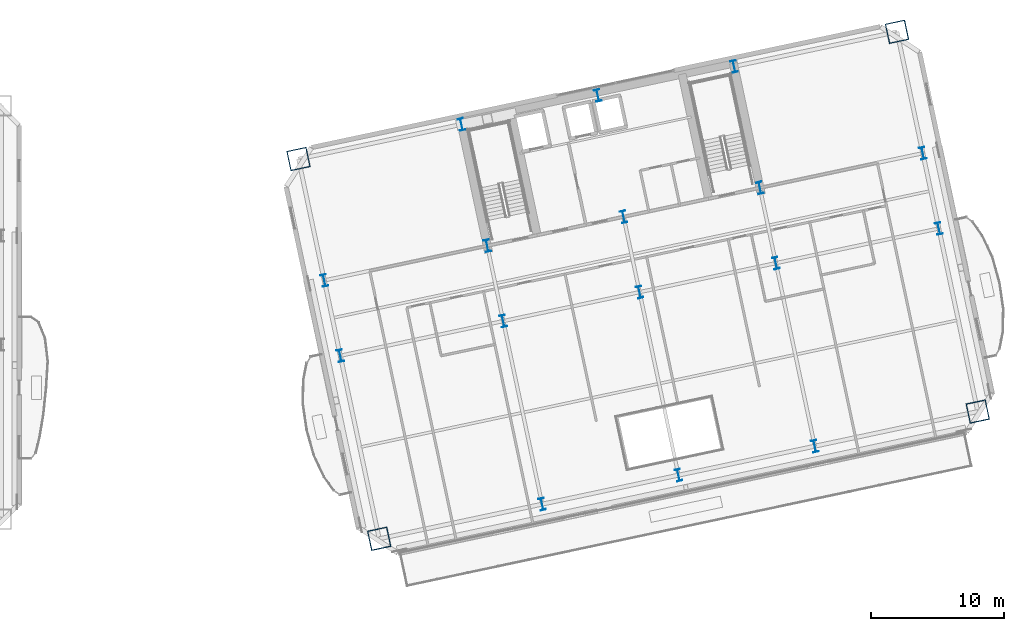
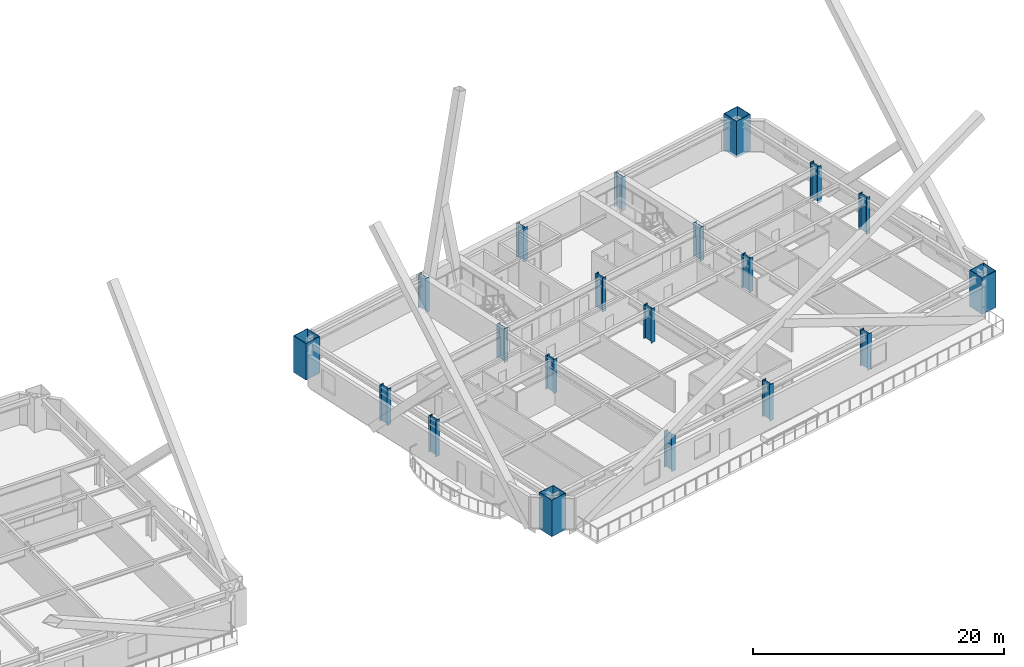
# One storey, part 2 of 25: 20 columns.
"""IFC4 building model written with IfcOpenShell, lengths in metres."""

from ifc_helpers import new_model, si_unit, direction, frame, origin, origin_2d, place, context, subcontext, project, spatial, hollow_rectangle, i_section, extrude, material, material_profile, profile_set, type_object, element, save


model = new_model("IFC4")

# Units and contexts
model_context = context("Model", 3, precision=1e-05, world=origin(), true_north=direction((0.0, 1.0)))
body_context = subcontext(model_context, "Body", "Model", "MODEL_VIEW")
ifc_project = project(units=[si_unit("LENGTHUNIT", "METRE"), si_unit("AREAUNIT", "SQUARE_METRE"), si_unit("VOLUMEUNIT", "CUBIC_METRE"), si_unit("PLANEANGLEUNIT", "RADIAN"), si_unit("MASSUNIT", "GRAM", prefix="KILO")], contexts=[model_context])

# Site, building, storey
site_placement = place(None, origin())
site = spatial("IfcSite", under=ifc_project, at=site_placement, CompositionType="ELEMENT")
building_placement = place(site_placement, origin())
building = spatial("IfcBuilding", under=site, at=building_placement, Name="Haevon Station Towers", CompositionType="ELEMENT")
storey_placement = place(building_placement, frame((0.0, 0.0, 50.39990234375)))
storey = spatial("IfcBuildingStorey", under=building, at=storey_placement, Name="L12", CompositionType="ELEMENT", Elevation=50.39990234375)

# Columns
ifc_material = material(Name="Steel S460", Category="steel")
ifc_material_profile_1 = material_profile(ifc_material, hollow_rectangle(XDim=1.5, YDim=1.5, WallThickness=0.0400390625, at=origin_2d()), Name="BOX-1500x1500x40")
ifc_profile_set_1 = profile_set([ifc_material_profile_1], Name="Steel S460")
column_type_1 = type_object("IfcColumnType", Name="COL-MC2", PredefinedType="COLUMN", material=ifc_profile_set_1)
for number, where, z_axis, x_axis, name in (
    (1, (90.614013671875, 15.367919921875, -0.25), (0.0, 0.0, 1.0), (0.978147600734, 0.207911690818, 0.0), "COL-T2-L12-01-01"),
    (2, (84.53271484375, 43.978759765625, -0.25), (0.0, 0.0, 1.0), (0.978147600734, 0.207911690818, 0.0), "COL-T2-L12-01-04"),
    (3, (135.70654296875, 24.95263671875, -0.25), (0.0, 0.0, 1.0), (0.978147600734, 0.207911690818, 0.0), "COL-T2-L12-05-01"),
    (4, (129.625244140625, 53.5634765625, -0.25), (0.0, 0.0, 1.0), (0.978147600734, 0.207911690818, 0.0), "COL-T2-L12-05-04"),
):
    element("IfcColumn", number, at=place(storey_placement, frame(where, z_axis=z_axis, x_axis=x_axis)), inside=storey, type_object=column_type_1, Name=name, PredefinedType="COLUMN", context=body_context, shape_type="SweptSolid", body=[
        extrude(hollow_rectangle(XDim=1.5, YDim=1.5, WallThickness=0.0400390625, at=origin_2d()), origin(), (0.0, 0.0, 1.0), 3.550048828125),
    ])
ifc_material_profile_2 = material_profile(ifc_material, i_section(OverallWidth=0.39990234375, OverallDepth=0.89990234375, WebThickness=0.02001953125, FlangeThickness=0.035888671875, at=origin_2d()), Name="H-900x400x20x36")
ifc_profile_set_2 = profile_set([ifc_material_profile_2], Name="Steel S460")
column_type_2 = type_object("IfcColumnType", Name="COL-TW1", PredefinedType="COLUMN", material=ifc_profile_set_2)
for number, where, z_axis, x_axis, name in (
    (5, (87.682373046875, 29.159912109375, -0.25), (0.0, 0.0, 1.0), (0.978147600734, 0.207911690818, 0.0), "COL-T2-L12-01-02"),
    (6, (86.4765625, 34.8330078125, -0.25), (0.0, 0.0, 1.0), (0.978147600734, 0.207911690818, 0.0), "COL-T2-L12-01-03"),
    (7, (102.889892578125, 17.977294921875, -0.25), (0.0, 0.0, 1.0), (0.978147600734, 0.207911690818, 0.0), "COL-T2-L12-02-01"),
):
    element("IfcColumn", number, at=place(storey_placement, frame(where, z_axis=z_axis, x_axis=x_axis)), inside=storey, type_object=column_type_2, Name=name, PredefinedType="COLUMN", context=body_context, shape_type="SweptSolid", body=[
        extrude(i_section(OverallWidth=0.39990234375, OverallDepth=0.89990234375, WebThickness=0.02001953125, FlangeThickness=0.035888671875, at=origin_2d()), origin(), (0.0, 0.0, 1.0), 3.550048828125),
    ])
for number, where, z_axis, x_axis, name in (
    (8, (99.958251953125, 31.76904296875, 0.0), (0.0, 0.0, 1.0), (0.978147600734, 0.207911690818, 0.0), "COL-T2-L12-02-02"),
    (9, (98.75244140625, 37.4423828125, 0.0), (0.0, 0.0, 1.0), (0.978147600734, 0.207911690818, 0.0), "COL-T2-L12-02-03"),
    (10, (96.808349609375, 46.588134765625, 0.0), (0.0, 0.0, 1.0), (0.978147600734, 0.207911690818, 0.0), "COL-T2-L12-02-04"),
):
    element("IfcColumn", number, at=place(storey_placement, frame(where, z_axis=z_axis, x_axis=x_axis)), inside=storey, type_object=column_type_2, Name=name, PredefinedType="COLUMN", context=body_context, shape_type="SweptSolid", body=[
        extrude(i_section(OverallWidth=0.39990234375, OverallDepth=0.89990234375, WebThickness=0.02001953125, FlangeThickness=0.035888671875, at=origin_2d()), origin(), (0.0, 0.0, 1.0), 3.300048828125),
    ])
column_1_placement = place(storey_placement, frame((113.160400390625, 20.160400390625, -0.25), z_axis=(0.0, 0.0, 1.0), x_axis=(0.978147600734, 0.207911690818, 0.0)))
element("IfcColumn", 11, at=column_1_placement, inside=storey, type_object=column_type_2, Name="COL-T2-L12-03-01", PredefinedType="COLUMN", context=body_context, shape_type="SweptSolid", body=[
    extrude(i_section(OverallWidth=0.39990234375, OverallDepth=0.89990234375, WebThickness=0.02001953125, FlangeThickness=0.035888671875, at=origin_2d()), origin(), (0.0, 0.0, 1.0), 3.550048828125),
])
for number, where, z_axis, x_axis, name in (
    (12, (110.228759765625, 33.9521484375, 0.0), (0.0, 0.0, 1.0), (0.978147600734, 0.207911690818, 0.0), "COL-T2-L12-03-02"),
    (13, (109.02294921875, 39.62548828125, 0.0), (0.0, 0.0, 1.0), (0.978147600734, 0.207911690818, 0.0), "COL-T2-L12-03-03"),
    (14, (107.078857421875, 48.771240234375, 0.0), (0.0, 0.0, 1.0), (0.978147600734, 0.207911690818, 0.0), "COL-T2-L12-03-04"),
):
    element("IfcColumn", number, at=place(storey_placement, frame(where, z_axis=z_axis, x_axis=x_axis)), inside=storey, type_object=column_type_2, Name=name, PredefinedType="COLUMN", context=body_context, shape_type="SweptSolid", body=[
        extrude(i_section(OverallWidth=0.39990234375, OverallDepth=0.89990234375, WebThickness=0.02001953125, FlangeThickness=0.035888671875, at=origin_2d()), origin(), (0.0, 0.0, 1.0), 3.300048828125),
    ])
column_2_placement = place(storey_placement, frame((123.430908203125, 22.343505859375, -0.25), z_axis=(0.0, 0.0, 1.0), x_axis=(0.978147600734, 0.207911690818, 0.0)))
element("IfcColumn", 15, at=column_2_placement, inside=storey, type_object=column_type_2, Name="COL-T2-L12-04-01", PredefinedType="COLUMN", context=body_context, shape_type="SweptSolid", body=[
    extrude(i_section(OverallWidth=0.39990234375, OverallDepth=0.89990234375, WebThickness=0.02001953125, FlangeThickness=0.035888671875, at=origin_2d()), origin(), (0.0, 0.0, 1.0), 3.550048828125),
])
for number, where, z_axis, x_axis, name in (
    (16, (120.499267578125, 36.13525390625, 0.0), (0.0, 0.0, 1.0), (0.978147600734, 0.207911690818, 0.0), "COL-T2-L12-04-02"),
    (17, (119.29345703125, 41.80859375, 0.0), (0.0, 0.0, 1.0), (0.978147600734, 0.207911690818, 0.0), "COL-T2-L12-04-03"),
    (18, (117.349365234375, 50.954345703125, 0.0), (0.0, 0.0, 1.0), (0.978147600734, 0.207911690818, 0.0), "COL-T2-L12-04-04"),
):
    element("IfcColumn", number, at=place(storey_placement, frame(where, z_axis=z_axis, x_axis=x_axis)), inside=storey, type_object=column_type_2, Name=name, PredefinedType="COLUMN", context=body_context, shape_type="SweptSolid", body=[
        extrude(i_section(OverallWidth=0.39990234375, OverallDepth=0.89990234375, WebThickness=0.02001953125, FlangeThickness=0.035888671875, at=origin_2d()), origin(), (0.0, 0.0, 1.0), 3.300048828125),
    ])
for number, where, z_axis, x_axis, name in (
    (19, (132.775146484375, 38.74462890625, -0.25), (0.0, 0.0, 1.0), (0.978147600734, 0.207911690818, 0.0), "COL-T2-L12-05-02"),
    (20, (131.569091796875, 44.41796875, -0.25), (0.0, 0.0, 1.0), (0.978147600734, 0.207911690818, 0.0), "COL-T2-L12-05-03"),
):
    element("IfcColumn", number, at=place(storey_placement, frame(where, z_axis=z_axis, x_axis=x_axis)), inside=storey, type_object=column_type_2, Name=name, PredefinedType="COLUMN", context=body_context, shape_type="SweptSolid", body=[
        extrude(i_section(OverallWidth=0.39990234375, OverallDepth=0.89990234375, WebThickness=0.02001953125, FlangeThickness=0.035888671875, at=origin_2d()), origin(), (0.0, 0.0, 1.0), 3.550048828125),
    ])

save(model, "model.ifc")
